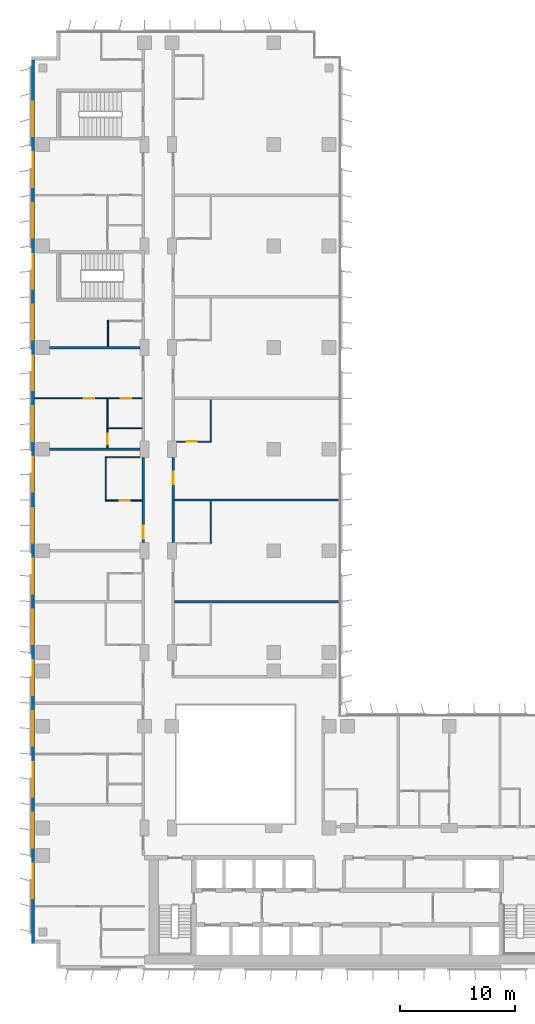
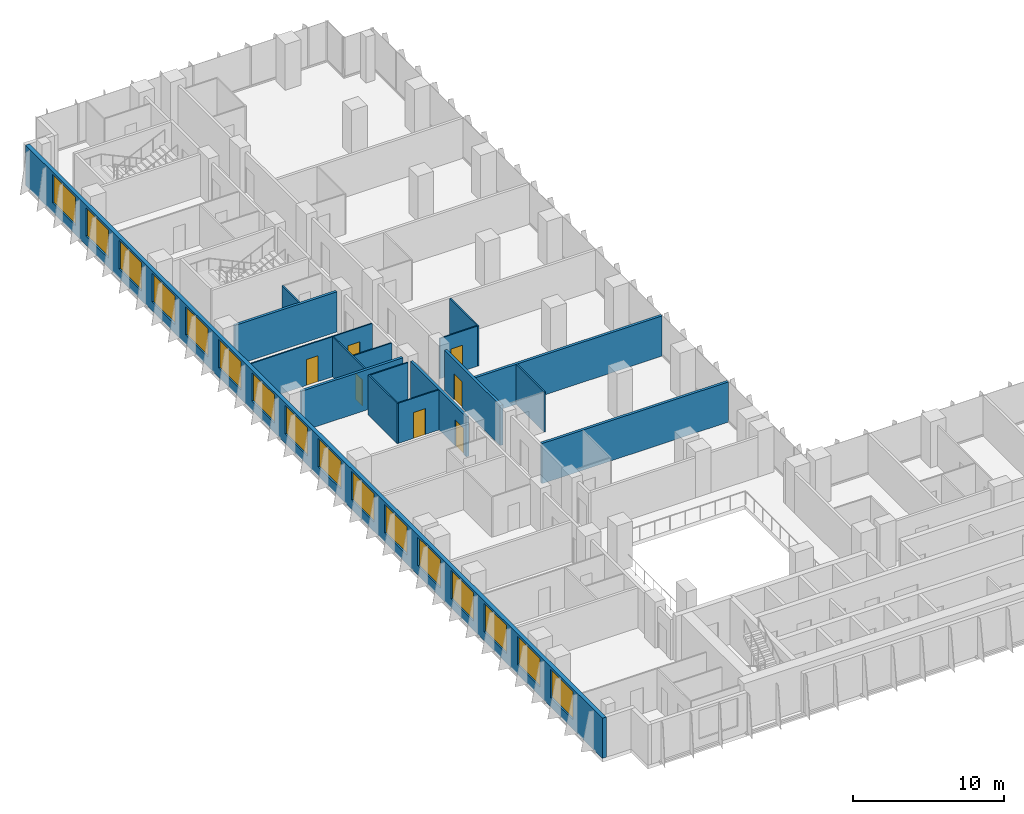
# One storey, part 16 of 22: 17 walls, 16 windows, 7 doors, 23 openings.
"""IFC4 building model written with IfcOpenShell, lengths in metres."""

from ifc_helpers import new_model, si_unit, direction, frame, frame_2d, origin, place, context, subcontext, project, spatial, rectangle, extrude, material, layer, layer_set, type_object, element, fill, save


model = new_model("IFC4")

# Units and contexts
model_context = context("Model", 3, precision=1e-05, world=origin(), true_north=direction((0.0, 1.0)))
body_context = subcontext(model_context, "Body", "Model", "MODEL_VIEW")
ifc_project = project(units=[si_unit("LENGTHUNIT", "METRE"), si_unit("AREAUNIT", "SQUARE_METRE"), si_unit("VOLUMEUNIT", "CUBIC_METRE"), si_unit("PLANEANGLEUNIT", "RADIAN"), si_unit("MASSUNIT", "GRAM", prefix="KILO")], contexts=[model_context])

# Site, building, storey
site_placement = place(None, origin())
site = spatial("IfcSite", under=ifc_project, at=site_placement, CompositionType="ELEMENT")
building_placement = place(site_placement, origin())
building = spatial("IfcBuilding", under=site, at=building_placement, Name="Kemantara Hotel Tower", CompositionType="ELEMENT")
storey_placement = place(building_placement, frame((0.0, 0.0, 149.39990234375)))
storey = spatial("IfcBuildingStorey", under=building, at=storey_placement, Name="L36", CompositionType="ELEMENT", Elevation=149.39990234375)

# Wall, openings, windows
ifc_material_1 = material(Name="Bronze anodised aluminium cladding on insulated steel stud wall", Category="steel")
ifc_layer_1 = layer(ifc_material_1, 0.300048828125)
ifc_layer_set_1 = layer_set([ifc_layer_1], Name="Bronze anodised aluminium cladding on insulated steel stud wall")
wall_type_1 = type_object("IfcWallType", Name="BRONZE METAL-CLAD EXTERNAL WALL 300", PredefinedType="STANDARD", material=ifc_layer_set_1)
wall_1_placement = place(storey_placement, frame((0.14990234375, 78.699951171875, 0.0), z_axis=(0.0, 0.0, 1.0), x_axis=(0.0, -1.0, 0.0)))
wall_1 = element("IfcWall", 1, at=wall_1_placement, inside=storey, type_object=wall_type_1, Name="EXTERNAL WALL L36 T2-R04", PredefinedType="STANDARD", context=body_context, shape_type="SweptSolid", body=[
    extrude(rectangle(XDim=76.5, YDim=0.300048828125, at=frame_2d((38.25, 0.0))), origin(), (0.0, 0.0, 1.0), 3.25),
])
opening_1_placement = place(wall_1_placement, frame((3.60009765625, 0.0, 0.75)))
opening_1 = element("IfcOpeningElement", 2, at=opening_1_placement, cuts=wall_1, Name="Opening W1", PredefinedType="OPENING", context=body_context, shape_type="SweptSolid", body=[
    extrude(rectangle(XDim=3.0, YDim=2.300048828125, at=frame_2d((1.5, 1.14990234375))), frame((0.0, 0.159912109375, 0.0), z_axis=(0.0, -1.0, 0.0), x_axis=(1.0, 0.0, 0.0)), (0.0, 0.0, 1.0), 0.320068359375),
])
opening_2_placement = place(wall_1_placement, frame((8.0, 0.0, 0.75)))
opening_2 = element("IfcOpeningElement", 3, at=opening_2_placement, cuts=wall_1, Name="Opening W1", PredefinedType="OPENING", context=body_context, shape_type="SweptSolid", body=[
    extrude(rectangle(XDim=3.0, YDim=2.300048828125, at=frame_2d((1.5, 1.14990234375))), frame((0.0, 0.159912109375, 0.0), z_axis=(0.0, -1.0, 0.0), x_axis=(1.0, 0.0, 0.0)), (0.0, 0.0, 1.0), 0.320068359375),
])
opening_3_placement = place(wall_1_placement, frame((12.39990234375, 0.0, 0.75)))
opening_3 = element("IfcOpeningElement", 4, at=opening_3_placement, cuts=wall_1, Name="Opening W1", PredefinedType="OPENING", context=body_context, shape_type="SweptSolid", body=[
    extrude(rectangle(XDim=3.0, YDim=2.300048828125, at=frame_2d((1.5, 1.14990234375))), frame((0.0, 0.159912109375, 0.0), z_axis=(0.0, -1.0, 0.0), x_axis=(1.0, 0.0, 0.0)), (0.0, 0.0, 1.0), 0.320068359375),
])
opening_4_placement = place(wall_1_placement, frame((16.800048828125, 0.0, 0.75)))
opening_4 = element("IfcOpeningElement", 5, at=opening_4_placement, cuts=wall_1, Name="Opening W1", PredefinedType="OPENING", context=body_context, shape_type="SweptSolid", body=[
    extrude(rectangle(XDim=3.0, YDim=2.300048828125, at=frame_2d((1.5, 1.14990234375))), frame((0.0, 0.159912109375, 0.0), z_axis=(0.0, -1.0, 0.0), x_axis=(1.0, 0.0, 0.0)), (0.0, 0.0, 1.0), 0.320068359375),
])
opening_5_placement = place(wall_1_placement, frame((21.199951171875, 0.0, 0.75)))
opening_5 = element("IfcOpeningElement", 6, at=opening_5_placement, cuts=wall_1, Name="Opening W1", PredefinedType="OPENING", context=body_context, shape_type="SweptSolid", body=[
    extrude(rectangle(XDim=3.0, YDim=2.300048828125, at=frame_2d((1.5, 1.14990234375))), frame((0.0, 0.159912109375, 0.0), z_axis=(0.0, -1.0, 0.0), x_axis=(1.0, 0.0, 0.0)), (0.0, 0.0, 1.0), 0.320068359375),
])
opening_6_placement = place(wall_1_placement, frame((25.60009765625, 0.0, 0.75)))
opening_6 = element("IfcOpeningElement", 7, at=opening_6_placement, cuts=wall_1, Name="Opening W1", PredefinedType="OPENING", context=body_context, shape_type="SweptSolid", body=[
    extrude(rectangle(XDim=3.0, YDim=2.300048828125, at=frame_2d((1.5, 1.14990234375))), frame((0.0, 0.159912109375, 0.0), z_axis=(0.0, -1.0, 0.0), x_axis=(1.0, 0.0, 0.0)), (0.0, 0.0, 1.0), 0.320068359375),
])
opening_7_placement = place(wall_1_placement, frame((30.0, 0.0, 0.75)))
opening_7 = element("IfcOpeningElement", 8, at=opening_7_placement, cuts=wall_1, Name="Opening W1", PredefinedType="OPENING", context=body_context, shape_type="SweptSolid", body=[
    extrude(rectangle(XDim=3.0, YDim=2.300048828125, at=frame_2d((1.5, 1.14990234375))), frame((0.0, 0.159912109375, 0.0), z_axis=(0.0, -1.0, 0.0), x_axis=(1.0, 0.0, 0.0)), (0.0, 0.0, 1.0), 0.320068359375),
])
opening_8_placement = place(wall_1_placement, frame((34.39990234375, 0.0, 0.75)))
opening_8 = element("IfcOpeningElement", 9, at=opening_8_placement, cuts=wall_1, Name="Opening W1", PredefinedType="OPENING", context=body_context, shape_type="SweptSolid", body=[
    extrude(rectangle(XDim=3.0, YDim=2.300048828125, at=frame_2d((1.5, 1.14990234375))), frame((0.0, 0.159912109375, 0.0), z_axis=(0.0, -1.0, 0.0), x_axis=(1.0, 0.0, 0.0)), (0.0, 0.0, 1.0), 0.320068359375),
])
opening_9_placement = place(wall_1_placement, frame((38.800048828125, 0.0, 0.75)))
opening_9 = element("IfcOpeningElement", 10, at=opening_9_placement, cuts=wall_1, Name="Opening W1", PredefinedType="OPENING", context=body_context, shape_type="SweptSolid", body=[
    extrude(rectangle(XDim=3.0, YDim=2.300048828125, at=frame_2d((1.5, 1.14990234375))), frame((0.0, 0.159912109375, 0.0), z_axis=(0.0, -1.0, 0.0), x_axis=(1.0, 0.0, 0.0)), (0.0, 0.0, 1.0), 0.320068359375),
])
opening_10_placement = place(wall_1_placement, frame((43.199951171875, 0.0, 0.75)))
opening_10 = element("IfcOpeningElement", 11, at=opening_10_placement, cuts=wall_1, Name="Opening W1", PredefinedType="OPENING", context=body_context, shape_type="SweptSolid", body=[
    extrude(rectangle(XDim=3.0, YDim=2.300048828125, at=frame_2d((1.5, 1.14990234375))), frame((0.0, 0.159912109375, 0.0), z_axis=(0.0, -1.0, 0.0), x_axis=(1.0, 0.0, 0.0)), (0.0, 0.0, 1.0), 0.320068359375),
])
opening_11_placement = place(wall_1_placement, frame((47.60009765625, 0.0, 0.75)))
opening_11 = element("IfcOpeningElement", 12, at=opening_11_placement, cuts=wall_1, Name="Opening W1", PredefinedType="OPENING", context=body_context, shape_type="SweptSolid", body=[
    extrude(rectangle(XDim=3.0, YDim=2.300048828125, at=frame_2d((1.5, 1.14990234375))), frame((0.0, 0.159912109375, 0.0), z_axis=(0.0, -1.0, 0.0), x_axis=(1.0, 0.0, 0.0)), (0.0, 0.0, 1.0), 0.320068359375),
])
opening_12_placement = place(wall_1_placement, frame((52.0, 0.0, 0.75)))
opening_12 = element("IfcOpeningElement", 13, at=opening_12_placement, cuts=wall_1, Name="Opening W1", PredefinedType="OPENING", context=body_context, shape_type="SweptSolid", body=[
    extrude(rectangle(XDim=3.0, YDim=2.300048828125, at=frame_2d((1.5, 1.14990234375))), frame((0.0, 0.159912109375, 0.0), z_axis=(0.0, -1.0, 0.0), x_axis=(1.0, 0.0, 0.0)), (0.0, 0.0, 1.0), 0.320068359375),
])
opening_13_placement = place(wall_1_placement, frame((56.39990234375, 0.0, 0.75)))
opening_13 = element("IfcOpeningElement", 14, at=opening_13_placement, cuts=wall_1, Name="Opening W1", PredefinedType="OPENING", context=body_context, shape_type="SweptSolid", body=[
    extrude(rectangle(XDim=3.0, YDim=2.300048828125, at=frame_2d((1.5, 1.14990234375))), frame((0.0, 0.159912109375, 0.0), z_axis=(0.0, -1.0, 0.0), x_axis=(1.0, 0.0, 0.0)), (0.0, 0.0, 1.0), 0.320068359375),
])
opening_14_placement = place(wall_1_placement, frame((60.800048828125, 0.0, 0.75)))
opening_14 = element("IfcOpeningElement", 15, at=opening_14_placement, cuts=wall_1, Name="Opening W1", PredefinedType="OPENING", context=body_context, shape_type="SweptSolid", body=[
    extrude(rectangle(XDim=3.0, YDim=2.300048828125, at=frame_2d((1.5, 1.14990234375))), frame((0.0, 0.159912109375, 0.0), z_axis=(0.0, -1.0, 0.0), x_axis=(1.0, 0.0, 0.0)), (0.0, 0.0, 1.0), 0.320068359375),
])
opening_15_placement = place(wall_1_placement, frame((65.199951171875, 0.0, 0.75)))
opening_15 = element("IfcOpeningElement", 16, at=opening_15_placement, cuts=wall_1, Name="Opening W1", PredefinedType="OPENING", context=body_context, shape_type="SweptSolid", body=[
    extrude(rectangle(XDim=3.0, YDim=2.300048828125, at=frame_2d((1.5, 1.14990234375))), frame((0.0, 0.159912109375, 0.0), z_axis=(0.0, -1.0, 0.0), x_axis=(1.0, 0.0, 0.0)), (0.0, 0.0, 1.0), 0.320068359375),
])
opening_16_placement = place(wall_1_placement, frame((69.60009765625, 0.0, 0.75)))
opening_16 = element("IfcOpeningElement", 17, at=opening_16_placement, cuts=wall_1, Name="Opening W1", PredefinedType="OPENING", context=body_context, shape_type="SweptSolid", body=[
    extrude(rectangle(XDim=3.0, YDim=2.300048828125, at=frame_2d((1.5, 1.14990234375))), frame((0.0, 0.159912109375, 0.0), z_axis=(0.0, -1.0, 0.0), x_axis=(1.0, 0.0, 0.0)), (0.0, 0.0, 1.0), 0.320068359375),
])
ifc_material_2 = material(Name="Low-E tinted double insulated glass in bronze anodised aluminium frame", Category="aluminium")
window_type = type_object("IfcWindowType", Name="CHICAGO WINDOW, TRIPLE PANEL 3000x2300", PartitioningType="TRIPLE_PANEL_VERTICAL", PredefinedType="WINDOW", material=ifc_material_2)
window_1_placement = place(opening_1_placement, origin())
window_1 = element("IfcWindow", 18, at=window_1_placement, inside=storey, type_object=window_type, Name="CHICAGO WINDOW L36 T2-R04-54", OverallHeight=2.300048828125, OverallWidth=3.0, PartitioningType="SINGLE_PANEL", PredefinedType="WINDOW", context=body_context, shape_type="SweptSolid", body=[
    extrude(rectangle(XDim=3.0, YDim=2.300048828125, at=frame_2d((1.5, 1.14990234375))), frame((0.0, 0.030029296875, 0.0), z_axis=(0.0, -1.0, 0.0), x_axis=(1.0, 0.0, 0.0)), (0.0, 0.0, 1.0), 0.06005859375),
])
fill(opening_1, window_1)
window_2_placement = place(opening_2_placement, origin())
window_2 = element("IfcWindow", 19, at=window_2_placement, inside=storey, type_object=window_type, Name="CHICAGO WINDOW L36 T2-R04-98", OverallHeight=2.300048828125, OverallWidth=3.0, PartitioningType="SINGLE_PANEL", PredefinedType="WINDOW", context=body_context, shape_type="SweptSolid", body=[
    extrude(rectangle(XDim=3.0, YDim=2.300048828125, at=frame_2d((1.5, 1.14990234375))), frame((0.0, 0.030029296875, 0.0), z_axis=(0.0, -1.0, 0.0), x_axis=(1.0, 0.0, 0.0)), (0.0, 0.0, 1.0), 0.06005859375),
])
fill(opening_2, window_2)
window_3_placement = place(opening_3_placement, origin())
window_3 = element("IfcWindow", 20, at=window_3_placement, inside=storey, type_object=window_type, Name="CHICAGO WINDOW L36 T2-R04-142", OverallHeight=2.300048828125, OverallWidth=3.0, PartitioningType="SINGLE_PANEL", PredefinedType="WINDOW", context=body_context, shape_type="SweptSolid", body=[
    extrude(rectangle(XDim=3.0, YDim=2.300048828125, at=frame_2d((1.5, 1.14990234375))), frame((0.0, 0.030029296875, 0.0), z_axis=(0.0, -1.0, 0.0), x_axis=(1.0, 0.0, 0.0)), (0.0, 0.0, 1.0), 0.06005859375),
])
fill(opening_3, window_3)
window_4_placement = place(opening_4_placement, origin())
window_4 = element("IfcWindow", 21, at=window_4_placement, inside=storey, type_object=window_type, Name="CHICAGO WINDOW L36 T2-R04-186", OverallHeight=2.300048828125, OverallWidth=3.0, PartitioningType="SINGLE_PANEL", PredefinedType="WINDOW", context=body_context, shape_type="SweptSolid", body=[
    extrude(rectangle(XDim=3.0, YDim=2.300048828125, at=frame_2d((1.5, 1.14990234375))), frame((0.0, 0.030029296875, 0.0), z_axis=(0.0, -1.0, 0.0), x_axis=(1.0, 0.0, 0.0)), (0.0, 0.0, 1.0), 0.06005859375),
])
fill(opening_4, window_4)
window_5_placement = place(opening_5_placement, origin())
window_5 = element("IfcWindow", 22, at=window_5_placement, inside=storey, type_object=window_type, Name="CHICAGO WINDOW L36 T2-R04-230", OverallHeight=2.300048828125, OverallWidth=3.0, PartitioningType="SINGLE_PANEL", PredefinedType="WINDOW", context=body_context, shape_type="SweptSolid", body=[
    extrude(rectangle(XDim=3.0, YDim=2.300048828125, at=frame_2d((1.5, 1.14990234375))), frame((0.0, 0.030029296875, 0.0), z_axis=(0.0, -1.0, 0.0), x_axis=(1.0, 0.0, 0.0)), (0.0, 0.0, 1.0), 0.06005859375),
])
fill(opening_5, window_5)
window_6_placement = place(opening_6_placement, origin())
window_6 = element("IfcWindow", 23, at=window_6_placement, inside=storey, type_object=window_type, Name="CHICAGO WINDOW L36 T2-R04-274", OverallHeight=2.300048828125, OverallWidth=3.0, PartitioningType="SINGLE_PANEL", PredefinedType="WINDOW", context=body_context, shape_type="SweptSolid", body=[
    extrude(rectangle(XDim=3.0, YDim=2.300048828125, at=frame_2d((1.5, 1.14990234375))), frame((0.0, 0.030029296875, 0.0), z_axis=(0.0, -1.0, 0.0), x_axis=(1.0, 0.0, 0.0)), (0.0, 0.0, 1.0), 0.06005859375),
])
fill(opening_6, window_6)
window_7_placement = place(opening_7_placement, origin())
window_7 = element("IfcWindow", 24, at=window_7_placement, inside=storey, type_object=window_type, Name="CHICAGO WINDOW L36 T2-R04-318", OverallHeight=2.300048828125, OverallWidth=3.0, PartitioningType="SINGLE_PANEL", PredefinedType="WINDOW", context=body_context, shape_type="SweptSolid", body=[
    extrude(rectangle(XDim=3.0, YDim=2.300048828125, at=frame_2d((1.5, 1.14990234375))), frame((0.0, 0.030029296875, 0.0), z_axis=(0.0, -1.0, 0.0), x_axis=(1.0, 0.0, 0.0)), (0.0, 0.0, 1.0), 0.06005859375),
])
fill(opening_7, window_7)
window_8_placement = place(opening_8_placement, origin())
window_8 = element("IfcWindow", 25, at=window_8_placement, inside=storey, type_object=window_type, Name="CHICAGO WINDOW L36 T2-R04-362", OverallHeight=2.300048828125, OverallWidth=3.0, PartitioningType="SINGLE_PANEL", PredefinedType="WINDOW", context=body_context, shape_type="SweptSolid", body=[
    extrude(rectangle(XDim=3.0, YDim=2.300048828125, at=frame_2d((1.5, 1.14990234375))), frame((0.0, 0.030029296875, 0.0), z_axis=(0.0, -1.0, 0.0), x_axis=(1.0, 0.0, 0.0)), (0.0, 0.0, 1.0), 0.06005859375),
])
fill(opening_8, window_8)
window_9_placement = place(opening_9_placement, origin())
window_9 = element("IfcWindow", 26, at=window_9_placement, inside=storey, type_object=window_type, Name="CHICAGO WINDOW L36 T2-R04-406", OverallHeight=2.300048828125, OverallWidth=3.0, PartitioningType="SINGLE_PANEL", PredefinedType="WINDOW", context=body_context, shape_type="SweptSolid", body=[
    extrude(rectangle(XDim=3.0, YDim=2.300048828125, at=frame_2d((1.5, 1.14990234375))), frame((0.0, 0.030029296875, 0.0), z_axis=(0.0, -1.0, 0.0), x_axis=(1.0, 0.0, 0.0)), (0.0, 0.0, 1.0), 0.06005859375),
])
fill(opening_9, window_9)
window_10_placement = place(opening_10_placement, origin())
window_10 = element("IfcWindow", 27, at=window_10_placement, inside=storey, type_object=window_type, Name="CHICAGO WINDOW L36 T2-R04-450", OverallHeight=2.300048828125, OverallWidth=3.0, PartitioningType="SINGLE_PANEL", PredefinedType="WINDOW", context=body_context, shape_type="SweptSolid", body=[
    extrude(rectangle(XDim=3.0, YDim=2.300048828125, at=frame_2d((1.5, 1.14990234375))), frame((0.0, 0.030029296875, 0.0), z_axis=(0.0, -1.0, 0.0), x_axis=(1.0, 0.0, 0.0)), (0.0, 0.0, 1.0), 0.06005859375),
])
fill(opening_10, window_10)
window_11_placement = place(opening_11_placement, origin())
window_11 = element("IfcWindow", 28, at=window_11_placement, inside=storey, type_object=window_type, Name="CHICAGO WINDOW L36 T2-R04-494", OverallHeight=2.300048828125, OverallWidth=3.0, PartitioningType="SINGLE_PANEL", PredefinedType="WINDOW", context=body_context, shape_type="SweptSolid", body=[
    extrude(rectangle(XDim=3.0, YDim=2.300048828125, at=frame_2d((1.5, 1.14990234375))), frame((0.0, 0.030029296875, 0.0), z_axis=(0.0, -1.0, 0.0), x_axis=(1.0, 0.0, 0.0)), (0.0, 0.0, 1.0), 0.06005859375),
])
fill(opening_11, window_11)
window_12_placement = place(opening_12_placement, origin())
window_12 = element("IfcWindow", 29, at=window_12_placement, inside=storey, type_object=window_type, Name="CHICAGO WINDOW L36 T2-R04-538", OverallHeight=2.300048828125, OverallWidth=3.0, PartitioningType="SINGLE_PANEL", PredefinedType="WINDOW", context=body_context, shape_type="SweptSolid", body=[
    extrude(rectangle(XDim=3.0, YDim=2.300048828125, at=frame_2d((1.5, 1.14990234375))), frame((0.0, 0.030029296875, 0.0), z_axis=(0.0, -1.0, 0.0), x_axis=(1.0, 0.0, 0.0)), (0.0, 0.0, 1.0), 0.06005859375),
])
fill(opening_12, window_12)
window_13_placement = place(opening_13_placement, origin())
window_13 = element("IfcWindow", 30, at=window_13_placement, inside=storey, type_object=window_type, Name="CHICAGO WINDOW L36 T2-R04-582", OverallHeight=2.300048828125, OverallWidth=3.0, PartitioningType="SINGLE_PANEL", PredefinedType="WINDOW", context=body_context, shape_type="SweptSolid", body=[
    extrude(rectangle(XDim=3.0, YDim=2.300048828125, at=frame_2d((1.5, 1.14990234375))), frame((0.0, 0.030029296875, 0.0), z_axis=(0.0, -1.0, 0.0), x_axis=(1.0, 0.0, 0.0)), (0.0, 0.0, 1.0), 0.06005859375),
])
fill(opening_13, window_13)
window_14_placement = place(opening_14_placement, origin())
window_14 = element("IfcWindow", 31, at=window_14_placement, inside=storey, type_object=window_type, Name="CHICAGO WINDOW L36 T2-R04-626", OverallHeight=2.300048828125, OverallWidth=3.0, PartitioningType="SINGLE_PANEL", PredefinedType="WINDOW", context=body_context, shape_type="SweptSolid", body=[
    extrude(rectangle(XDim=3.0, YDim=2.300048828125, at=frame_2d((1.5, 1.14990234375))), frame((0.0, 0.030029296875, 0.0), z_axis=(0.0, -1.0, 0.0), x_axis=(1.0, 0.0, 0.0)), (0.0, 0.0, 1.0), 0.06005859375),
])
fill(opening_14, window_14)
window_15_placement = place(opening_15_placement, origin())
window_15 = element("IfcWindow", 32, at=window_15_placement, inside=storey, type_object=window_type, Name="CHICAGO WINDOW L36 T2-R04-670", OverallHeight=2.300048828125, OverallWidth=3.0, PartitioningType="SINGLE_PANEL", PredefinedType="WINDOW", context=body_context, shape_type="SweptSolid", body=[
    extrude(rectangle(XDim=3.0, YDim=2.300048828125, at=frame_2d((1.5, 1.14990234375))), frame((0.0, 0.030029296875, 0.0), z_axis=(0.0, -1.0, 0.0), x_axis=(1.0, 0.0, 0.0)), (0.0, 0.0, 1.0), 0.06005859375),
])
fill(opening_15, window_15)
window_16_placement = place(opening_16_placement, origin())
window_16 = element("IfcWindow", 33, at=window_16_placement, inside=storey, type_object=window_type, Name="CHICAGO WINDOW L36 T2-R04-714", OverallHeight=2.300048828125, OverallWidth=3.0, PartitioningType="SINGLE_PANEL", PredefinedType="WINDOW", context=body_context, shape_type="SweptSolid", body=[
    extrude(rectangle(XDim=3.0, YDim=2.300048828125, at=frame_2d((1.5, 1.14990234375))), frame((0.0, 0.030029296875, 0.0), z_axis=(0.0, -1.0, 0.0), x_axis=(1.0, 0.0, 0.0)), (0.0, 0.0, 1.0), 0.06005859375),
])
fill(opening_16, window_16)

# Wall, opening, door
ifc_material_3 = material(Name="Gypsum board partition, steel studs and mineral wool, 200 mm", Category="steel")
ifc_layer_2 = layer(ifc_material_3, 0.199951171875)
ifc_layer_set_2 = layer_set([ifc_layer_2], Name="Gypsum board partition, steel studs and mineral wool, 200 mm")
wall_type_2 = type_object("IfcWallType", Name="CORRIDOR WALL 200", PredefinedType="PARTITIONING", material=ifc_layer_set_2)
wall_2_placement = place(storey_placement, frame((9.699951171875, 36.900146484375, 0.0), z_axis=(0.0, 0.0, 1.0), x_axis=(0.0, 1.0, 0.0)))
wall_2 = element("IfcWall", 34, at=wall_2_placement, inside=storey, type_object=wall_type_2, Name="CORRIDOR WALL 200 020", PredefinedType="PARTITIONING", context=body_context, shape_type="SweptSolid", body=[
    extrude(rectangle(XDim=7.399658203125, YDim=0.199951171875, at=frame_2d((3.69970703125, 0.0))), origin(), (0.0, 0.0, 1.0), 3.25),
])
opening_17_placement = place(wall_2_placement, frame((0.349853515625, 0.0, 0.0)))
opening_17 = element("IfcOpeningElement", 35, at=opening_17_placement, cuts=wall_2, Name="Opening F16-031", PredefinedType="OPENING", context=body_context, shape_type="SweptSolid", body=[
    extrude(rectangle(XDim=1.10009765625, YDim=2.10009765625, at=frame_2d((0.550048828125, 1.050048828125))), frame((0.0, 0.10986328125, 0.0), z_axis=(0.0, -1.0, 0.0), x_axis=(1.0, 0.0, 0.0)), (0.0, 0.0, 1.0), 0.219970703125),
])
ifc_material_4 = material(Name="Hardwood veneer door leaf with steel frame", Category="steel")
door_type_1 = type_object("IfcDoorType", Name="SUITE ENTRANCE DOOR 1100 X 2100 FD30S", OperationType="NOTDEFINED", PredefinedType="DOOR", material=ifc_material_4)
door_1_placement = place(opening_17_placement, origin())
door_1 = element("IfcDoor", 36, at=door_1_placement, inside=storey, type_object=door_type_1, Name="SUITE ENTRANCE DOOR F16-031", OperationType="SINGLE_SWING_LEFT", OverallHeight=2.10009765625, OverallWidth=1.10009765625, PredefinedType="DOOR", context=body_context, shape_type="SweptSolid", body=[
    extrude(rectangle(XDim=1.10009765625, YDim=2.10009765625, at=frame_2d((0.550048828125, 1.050048828125))), frame((0.0, 0.02490234375, 0.0), z_axis=(0.0, -1.0, 0.0), x_axis=(1.0, 0.0, 0.0)), (0.0, 0.0, 1.0), 0.050048828125),
])
fill(opening_17, door_1)

wall_3_placement = place(storey_placement, frame((12.300048828125, 44.2998046875, 0.0), z_axis=(0.0, 0.0, 1.0), x_axis=(0.0, -1.0, 0.0)))
wall_3 = element("IfcWall", 37, at=wall_3_placement, inside=storey, type_object=wall_type_2, Name="CORRIDOR WALL 200 034", PredefinedType="PARTITIONING", context=body_context, shape_type="SweptSolid", body=[
    extrude(rectangle(XDim=7.399658203125, YDim=0.199951171875, at=frame_2d((3.69970703125, 0.0))), origin(), (0.0, 0.0, 1.0), 3.25),
])
opening_18_placement = place(wall_3_placement, frame((1.25, 0.0, 0.0)))
opening_18 = element("IfcOpeningElement", 38, at=opening_18_placement, cuts=wall_3, Name="Opening F16-049", PredefinedType="OPENING", context=body_context, shape_type="SweptSolid", body=[
    extrude(rectangle(XDim=1.10009765625, YDim=2.10009765625, at=frame_2d((0.550048828125, 1.050048828125))), frame((0.0, 0.10986328125, 0.0), z_axis=(0.0, -1.0, 0.0), x_axis=(1.0, 0.0, 0.0)), (0.0, 0.0, 1.0), 0.219970703125),
])
door_2_placement = place(opening_18_placement, origin())
door_2 = element("IfcDoor", 39, at=door_2_placement, inside=storey, type_object=door_type_1, Name="SUITE ENTRANCE DOOR F16-049", OperationType="SINGLE_SWING_RIGHT", OverallHeight=2.10009765625, OverallWidth=1.10009765625, PredefinedType="DOOR", context=body_context, shape_type="SweptSolid", body=[
    extrude(rectangle(XDim=1.10009765625, YDim=2.10009765625, at=frame_2d((0.550048828125, 1.050048828125))), frame((0.0, 0.02490234375, 0.0), z_axis=(0.0, -1.0, 0.0), x_axis=(1.0, 0.0, 0.0)), (0.0, 0.0, 1.0), 0.050048828125),
])
fill(opening_18, door_2)

# Walls
ifc_layer_3 = layer(ifc_material_3, 0.199951171875)
ifc_layer_set_3 = layer_set([ifc_layer_3], Name="Gypsum board partition, steel studs and mineral wool, 200 mm")
wall_type_3 = type_object("IfcWallType", Name="GUEST ROOM PARTY WALL 200", PredefinedType="PARTITIONING", material=ifc_layer_set_3)
wall_4_placement = place(storey_placement, frame((12.39990234375, 31.800048828125, 0.0), z_axis=(0.0, 0.0, 1.0), x_axis=(1.0, 0.0, 0.0)))
element("IfcWall", 40, at=wall_4_placement, inside=storey, type_object=wall_type_3, Name="GUEST ROOM PARTY WALL 200 028", PredefinedType="PARTITIONING", context=body_context, shape_type="SweptSolid", body=[
    extrude(rectangle(XDim=14.27001953125, YDim=0.199951171875, at=frame_2d((7.135009765625, 0.0))), origin(), (0.0, 0.0, 1.0), 3.25),
])
for number, where, z_axis, x_axis, name in (
    (41, (1.60009765625, 45.0, 0.0), (0.0, 0.0, 1.0), (1.0, 0.0, 0.0), "GUEST ROOM PARTY WALL 200 030"),
    (42, (1.60009765625, 53.800048828125, 0.0), (0.0, 0.0, 1.0), (1.0, 0.0, 0.0), "GUEST ROOM PARTY WALL 200 031"),
):
    element("IfcWall", number, at=place(storey_placement, frame(where, z_axis=z_axis, x_axis=x_axis)), inside=storey, type_object=wall_type_3, Name=name, PredefinedType="PARTITIONING", context=body_context, shape_type="SweptSolid", body=[
        extrude(rectangle(XDim=7.7998046875, YDim=0.199951171875, at=frame_2d((3.89990234375, 0.0))), origin(), (0.0, 0.0, 1.0), 3.25),
    ])
wall_5_placement = place(storey_placement, frame((12.39990234375, 40.60009765625, 0.0), z_axis=(0.0, 0.0, 1.0), x_axis=(1.0, 0.0, 0.0)))
element("IfcWall", 43, at=wall_5_placement, inside=storey, type_object=wall_type_3, Name="GUEST ROOM PARTY WALL 200 041", PredefinedType="PARTITIONING", context=body_context, shape_type="SweptSolid", body=[
    extrude(rectangle(XDim=14.27001953125, YDim=0.199951171875, at=frame_2d((7.135009765625, 0.0))), origin(), (0.0, 0.0, 1.0), 3.25),
])

# Wall, opening, door
ifc_material_5 = material(Name="Gypsum board partition on steel studs, 100 mm", Category="steel")
ifc_layer_4 = layer(ifc_material_5, 0.10009765625)
ifc_layer_set_4 = layer_set([ifc_layer_4], Name="Gypsum board partition on steel studs, 100 mm")
wall_type_4 = type_object("IfcWallType", Name="ROOM PARTITION 100", PredefinedType="PARTITIONING", material=ifc_layer_set_4)
wall_6_placement = place(storey_placement, frame((6.60009765625, 49.35009765625, 0.0), z_axis=(0.0, 0.0, 1.0), x_axis=(0.0, -1.0, 0.0)))
wall_6 = element("IfcWall", 44, at=wall_6_placement, inside=storey, type_object=wall_type_4, Name="ROOM PARTITION 100 068", PredefinedType="PARTITIONING", context=body_context, shape_type="SweptSolid", body=[
    extrude(rectangle(XDim=4.25, YDim=0.10009765625, at=frame_2d((2.125, 0.0))), origin(), (0.0, 0.0, 1.0), 3.25),
])
opening_19_placement = place(wall_6_placement, frame((3.0, 0.0, 0.0)))
opening_19 = element("IfcOpeningElement", 45, at=opening_19_placement, cuts=wall_6, Name="Opening F16-036", PredefinedType="OPENING", context=body_context, shape_type="SweptSolid", body=[
    extrude(rectangle(XDim=0.89990234375, YDim=2.10009765625, at=frame_2d((0.449951171875, 1.050048828125))), frame((0.0, 0.06005859375, 0.0), z_axis=(0.0, -1.0, 0.0), x_axis=(1.0, 0.0, 0.0)), (0.0, 0.0, 1.0), 0.1201171875),
])
door_type_2 = type_object("IfcDoorType", Name="BATHROOM DOOR 900 X 2100", OperationType="NOTDEFINED", PredefinedType="DOOR", material=ifc_material_4)
door_3_placement = place(opening_19_placement, origin())
door_3 = element("IfcDoor", 46, at=door_3_placement, inside=storey, type_object=door_type_2, Name="BATHROOM DOOR F16-036", OperationType="SINGLE_SWING_LEFT", OverallHeight=2.10009765625, OverallWidth=0.89990234375, PredefinedType="DOOR", context=body_context, shape_type="SweptSolid", body=[
    extrude(rectangle(XDim=0.89990234375, YDim=2.10009765625, at=frame_2d((0.449951171875, 1.050048828125))), frame((0.0, 0.02490234375, 0.0), z_axis=(0.0, -1.0, 0.0), x_axis=(1.0, 0.0, 0.0)), (0.0, 0.0, 1.0), 0.050048828125),
])
fill(opening_19, door_3)

# Walls
wall_7_placement = place(storey_placement, frame((6.449951171875, 40.5, 0.0), z_axis=(0.0, 0.0, 1.0), x_axis=(0.0, 1.0, 0.0)))
element("IfcWall", 47, at=wall_7_placement, inside=storey, type_object=wall_type_4, Name="ROOM PARTITION 100 073", PredefinedType="PARTITIONING", context=body_context, shape_type="SweptSolid", body=[
    extrude(rectangle(XDim=3.85009765625, YDim=0.10009765625, at=frame_2d((1.925048828125, 0.0))), origin(), (0.0, 0.0, 1.0), 3.25),
])
wall_8_placement = place(storey_placement, frame((6.64990234375, 53.89990234375, 0.0), z_axis=(0.0, 0.0, 1.0), x_axis=(0.0, 1.0, 0.0)))
element("IfcWall", 48, at=wall_8_placement, inside=storey, type_object=wall_type_4, Name="ROOM PARTITION 100 077", PredefinedType="PARTITIONING", context=body_context, shape_type="SweptSolid", body=[
    extrude(rectangle(XDim=2.25, YDim=0.10009765625, at=frame_2d((1.125, 0.0))), origin(), (0.0, 0.0, 1.0), 3.25),
])

# Wall, opening, door
wall_9_placement = place(storey_placement, frame((6.5, 40.550048828125, 0.0), z_axis=(0.0, 0.0, 1.0), x_axis=(1.0, 0.0, 0.0)))
wall_9 = element("IfcWall", 49, at=wall_9_placement, inside=storey, type_object=wall_type_4, Name="ROOM PARTITION 100 079", PredefinedType="PARTITIONING", context=body_context, shape_type="SweptSolid", body=[
    extrude(rectangle(XDim=3.10009765625, YDim=0.10009765625, at=frame_2d((1.550048828125, 0.0))), origin(), (0.0, 0.0, 1.0), 3.25),
])
opening_20_placement = place(wall_9_placement, frame((1.14990234375, 0.0, 0.0)))
opening_20 = element("IfcOpeningElement", 50, at=opening_20_placement, cuts=wall_9, Name="Opening F16-032", PredefinedType="OPENING", context=body_context, shape_type="SweptSolid", body=[
    extrude(rectangle(XDim=0.89990234375, YDim=2.10009765625, at=frame_2d((0.449951171875, 1.050048828125))), frame((0.0, 0.06005859375, 0.0), z_axis=(0.0, -1.0, 0.0), x_axis=(1.0, 0.0, 0.0)), (0.0, 0.0, 1.0), 0.1201171875),
])
door_4_placement = place(opening_20_placement, origin())
door_4 = element("IfcDoor", 51, at=door_4_placement, inside=storey, type_object=door_type_2, Name="BATHROOM DOOR F16-032", OperationType="SINGLE_SWING_RIGHT", OverallHeight=2.10009765625, OverallWidth=0.89990234375, PredefinedType="DOOR", context=body_context, shape_type="SweptSolid", body=[
    extrude(rectangle(XDim=0.89990234375, YDim=2.10009765625, at=frame_2d((0.449951171875, 1.050048828125))), frame((0.0, 0.02490234375, 0.0), z_axis=(0.0, -1.0, 0.0), x_axis=(1.0, 0.0, 0.0)), (0.0, 0.0, 1.0), 0.050048828125),
])
fill(opening_20, door_4)

# Wall
wall_10_placement = place(storey_placement, frame((6.5, 44.300048828125, 0.0), z_axis=(0.0, 0.0, 1.0), x_axis=(1.0, 0.0, 0.0)))
element("IfcWall", 52, at=wall_10_placement, inside=storey, type_object=wall_type_4, Name="ROOM PARTITION 100 080", PredefinedType="PARTITIONING", context=body_context, shape_type="SweptSolid", body=[
    extrude(rectangle(XDim=2.89990234375, YDim=0.10009765625, at=frame_2d((1.449951171875, 0.0))), origin(), (0.0, 0.0, 1.0), 3.25),
])

# Wall, openings, doors
wall_11_placement = place(storey_placement, frame((0.31005859375, 49.39990234375, 0.0), z_axis=(0.0, 0.0, 1.0), x_axis=(1.0, 0.0, 0.0)))
wall_11 = element("IfcWall", 53, at=wall_11_placement, inside=storey, type_object=wall_type_4, Name="ROOM PARTITION 100 081", PredefinedType="PARTITIONING", context=body_context, shape_type="SweptSolid", body=[
    extrude(rectangle(XDim=9.2900390625, YDim=0.10009765625, at=frame_2d((4.64501953125, 0.0))), origin(), (0.0, 0.0, 1.0), 3.25),
])
opening_21_placement = place(wall_11_placement, frame((7.43994140625, 0.0, 0.0)))
opening_21 = element("IfcOpeningElement", 54, at=opening_21_placement, cuts=wall_11, Name="Opening F16-034", PredefinedType="OPENING", context=body_context, shape_type="SweptSolid", body=[
    extrude(rectangle(XDim=0.89990234375, YDim=2.10009765625, at=frame_2d((0.449951171875, 1.050048828125))), frame((0.0, 0.06005859375, 0.0), z_axis=(0.0, -1.0, 0.0), x_axis=(1.0, 0.0, 0.0)), (0.0, 0.0, 1.0), 0.1201171875),
])
opening_22_placement = place(wall_11_placement, frame((4.239990234375, 0.0, 0.0)))
opening_22 = element("IfcOpeningElement", 55, at=opening_22_placement, cuts=wall_11, Name="Opening F16-035", PredefinedType="OPENING", context=body_context, shape_type="SweptSolid", body=[
    extrude(rectangle(XDim=0.89990234375, YDim=2.10009765625, at=frame_2d((0.449951171875, 1.050048828125))), frame((0.0, 0.06005859375, 0.0), z_axis=(0.0, -1.0, 0.0), x_axis=(1.0, 0.0, 0.0)), (0.0, 0.0, 1.0), 0.1201171875),
])
door_type_3 = type_object("IfcDoorType", Name="INTERNAL DOOR 900 X 2100", OperationType="NOTDEFINED", PredefinedType="DOOR", material=ifc_material_4)
door_5_placement = place(opening_22_placement, frame((0.89990234375, 0.0, 0.0), z_axis=(0.0, 0.0, 1.0), x_axis=(-1.0, 0.0, 0.0)))
door_5 = element("IfcDoor", 56, at=door_5_placement, inside=storey, type_object=door_type_3, Name="INTERNAL DOOR F16-035", OperationType="SINGLE_SWING_RIGHT", OverallHeight=2.10009765625, OverallWidth=0.89990234375, PredefinedType="DOOR", context=body_context, shape_type="SweptSolid", body=[
    extrude(rectangle(XDim=0.89990234375, YDim=2.10009765625, at=frame_2d((0.449951171875, 1.050048828125))), frame((0.0, 0.02490234375, 0.0), z_axis=(0.0, -1.0, 0.0), x_axis=(1.0, 0.0, 0.0)), (0.0, 0.0, 1.0), 0.050048828125),
])
fill(opening_22, door_5)
door_type_4 = type_object("IfcDoorType", Name="PANTRY DOOR 900 X 2100", OperationType="NOTDEFINED", PredefinedType="DOOR", material=ifc_material_4)
door_6_placement = place(opening_21_placement, origin())
door_6 = element("IfcDoor", 57, at=door_6_placement, inside=storey, type_object=door_type_4, Name="PANTRY DOOR F16-034", OperationType="SINGLE_SWING_RIGHT", OverallHeight=2.10009765625, OverallWidth=0.89990234375, PredefinedType="DOOR", context=body_context, shape_type="SweptSolid", body=[
    extrude(rectangle(XDim=0.89990234375, YDim=2.10009765625, at=frame_2d((0.449951171875, 1.050048828125))), frame((0.0, 0.02490234375, 0.0), z_axis=(0.0, -1.0, 0.0), x_axis=(1.0, 0.0, 0.0)), (0.0, 0.0, 1.0), 0.050048828125),
])
fill(opening_21, door_6)

# Walls
wall_12_placement = place(storey_placement, frame((6.64990234375, 46.800048828125, 0.0), z_axis=(0.0, 0.0, 1.0), x_axis=(1.0, 0.0, 0.0)))
element("IfcWall", 58, at=wall_12_placement, inside=storey, type_object=wall_type_4, Name="ROOM PARTITION 100 082", PredefinedType="PARTITIONING", context=body_context, shape_type="SweptSolid", body=[
    extrude(rectangle(XDim=2.9501953125, YDim=0.10009765625, at=frame_2d((1.47509765625, 0.0))), origin(), (0.0, 0.0, 1.0), 3.25),
])
for number, where, z_axis, x_axis, name in (
    (59, (15.550048828125, 36.800048828125, 0.0), (0.0, 0.0, 1.0), (0.0, 1.0, 0.0), "ROOM PARTITION 100 088"),
    (60, (15.550048828125, 45.60009765625, 0.0), (0.0, 0.0, 1.0), (0.0, 1.0, 0.0), "ROOM PARTITION 100 089"),
):
    element("IfcWall", number, at=place(storey_placement, frame(where, z_axis=z_axis, x_axis=x_axis)), inside=storey, type_object=wall_type_4, Name=name, PredefinedType="PARTITIONING", context=body_context, shape_type="SweptSolid", body=[
        extrude(rectangle(XDim=3.699951171875, YDim=0.10009765625, at=frame_2d((1.85009765625, 0.0))), origin(), (0.0, 0.0, 1.0), 3.25),
    ])

# Wall, opening, door
wall_13_placement = place(storey_placement, frame((12.60009765625, 45.64990234375, 0.0), z_axis=(0.0, 0.0, 1.0), x_axis=(1.0, 0.0, 0.0)))
wall_13 = element("IfcWall", 61, at=wall_13_placement, inside=storey, type_object=wall_type_4, Name="ROOM PARTITION 100 093", PredefinedType="PARTITIONING", context=body_context, shape_type="SweptSolid", body=[
    extrude(rectangle(XDim=2.89990234375, YDim=0.10009765625, at=frame_2d((1.449951171875, 0.0))), origin(), (0.0, 0.0, 1.0), 3.25),
])
opening_23_placement = place(wall_13_placement, frame((0.849853515625, 0.0, 0.0)))
opening_23 = element("IfcOpeningElement", 62, at=opening_23_placement, cuts=wall_13, Name="Opening F16-050", PredefinedType="OPENING", context=body_context, shape_type="SweptSolid", body=[
    extrude(rectangle(XDim=0.89990234375, YDim=2.10009765625, at=frame_2d((0.449951171875, 1.050048828125))), frame((0.0, 0.06005859375, 0.0), z_axis=(0.0, -1.0, 0.0), x_axis=(1.0, 0.0, 0.0)), (0.0, 0.0, 1.0), 0.1201171875),
])
door_7_placement = place(opening_23_placement, origin())
door_7 = element("IfcDoor", 63, at=door_7_placement, inside=storey, type_object=door_type_2, Name="BATHROOM DOOR F16-050", OperationType="SINGLE_SWING_LEFT", OverallHeight=2.10009765625, OverallWidth=0.89990234375, PredefinedType="DOOR", context=body_context, shape_type="SweptSolid", body=[
    extrude(rectangle(XDim=0.89990234375, YDim=2.10009765625, at=frame_2d((0.449951171875, 1.050048828125))), frame((0.0, 0.02490234375, 0.0), z_axis=(0.0, -1.0, 0.0), x_axis=(1.0, 0.0, 0.0)), (0.0, 0.0, 1.0), 0.050048828125),
])
fill(opening_23, door_7)

save(model, "model.ifc")
